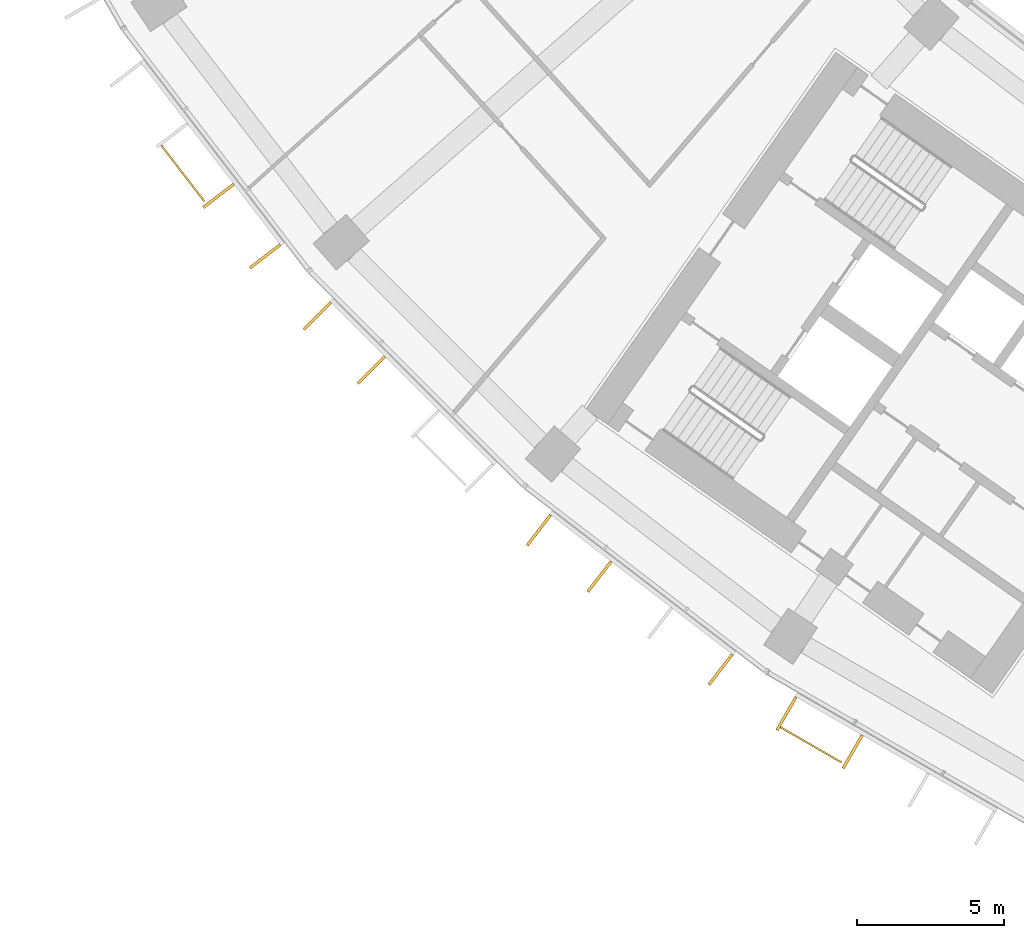
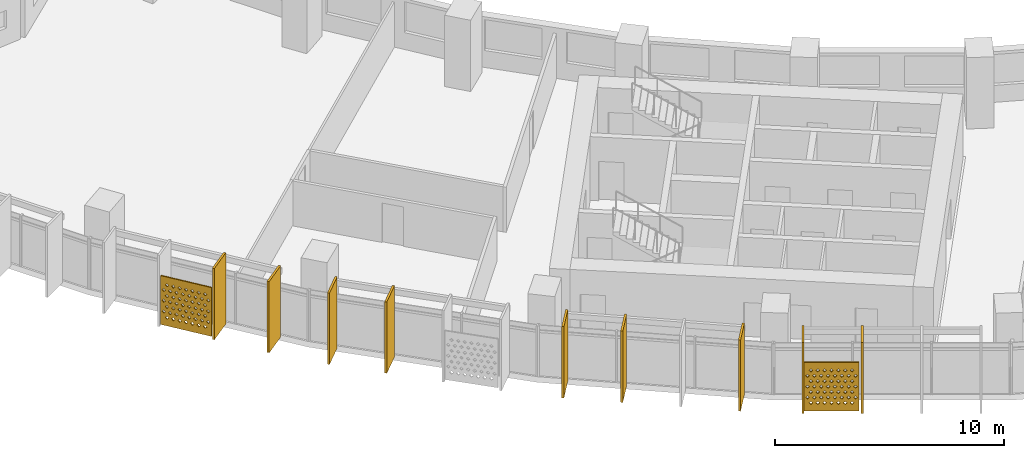
# One storey, part 22 of 28: 11 shading devices.
"""IFC4 building model written with IfcOpenShell, lengths in metres."""

from ifc_helpers import new_model, si_unit, direction, frame, origin, origin_2d, place, context, subcontext, project, spatial, polyline, rectangle, outline, extrude, material, material_profile, profile_set, type_object, element, save


model = new_model("IFC4")

# Units and contexts
model_context = context("Model", 3, precision=1e-05, world=origin(), true_north=direction((0.0, 1.0)))
body_context = subcontext(model_context, "Body", "Model", "MODEL_VIEW")
ifc_project = project(units=[si_unit("LENGTHUNIT", "METRE"), si_unit("AREAUNIT", "SQUARE_METRE"), si_unit("VOLUMEUNIT", "CUBIC_METRE"), si_unit("PLANEANGLEUNIT", "RADIAN"), si_unit("MASSUNIT", "GRAM", prefix="KILO")], contexts=[model_context])

# Site, building, storey
site_placement = place(None, origin())
site = spatial("IfcSite", under=ifc_project, at=site_placement, CompositionType="ELEMENT")
building_placement = place(site_placement, origin())
building = spatial("IfcBuilding", under=site, at=building_placement, Name="Qamariyya Broadcast Tower", CompositionType="ELEMENT")
storey_placement = place(building_placement, frame((0.0, 0.0, 140.5)))
storey = spatial("IfcBuildingStorey", under=building, at=storey_placement, Name="L32", CompositionType="ELEMENT", Elevation=140.5)

# Shading devices
ifc_material_1 = material(Name="Perforated glazed terracotta", Category="masonry")
ifc_material_profile_1 = material_profile(ifc_material_1, outline(polyline([(-1.199951171875, -1.300048828125), (1.199951171875, -1.300048828125), (1.199951171875, 1.300048828125), (-1.199951171875, 1.300048828125), (-1.199951171875, -1.300048828125)]), holes=[polyline([(-0.81494140625, -0.86669921875), (-0.89990234375, -0.78173828125), (-0.985107421875, -0.86669921875), (-0.89990234375, -0.95166015625), (-0.81494140625, -0.86669921875)]), polyline([(-0.514892578125, -0.86669921875), (-0.60009765625, -0.78173828125), (-0.68505859375, -0.86669921875), (-0.60009765625, -0.95166015625), (-0.514892578125, -0.86669921875)]), polyline([(-0.215087890625, -0.86669921875), (-0.300048828125, -0.78173828125), (-0.385009765625, -0.86669921875), (-0.300048828125, -0.95166015625), (-0.215087890625, -0.86669921875)]), polyline([(0.0849609375, -0.86669921875), (0.0, -0.78173828125), (-0.0849609375, -0.86669921875), (0.0, -0.95166015625), (0.0849609375, -0.86669921875)]), polyline([(0.385009765625, -0.86669921875), (0.300048828125, -0.78173828125), (0.215087890625, -0.86669921875), (0.300048828125, -0.95166015625), (0.385009765625, -0.86669921875)]), polyline([(0.68505859375, -0.86669921875), (0.60009765625, -0.78173828125), (0.514892578125, -0.86669921875), (0.60009765625, -0.95166015625), (0.68505859375, -0.86669921875)]), polyline([(0.985107421875, -0.86669921875), (0.89990234375, -0.78173828125), (0.81494140625, -0.86669921875), (0.89990234375, -0.95166015625), (0.985107421875, -0.86669921875)]), polyline([(-0.965087890625, -0.577880859375), (-1.050048828125, -0.49267578125), (-1.135009765625, -0.577880859375), (-1.050048828125, -0.662841796875), (-0.965087890625, -0.577880859375)]), polyline([(-0.6650390625, -0.577880859375), (-0.75, -0.49267578125), (-0.8349609375, -0.577880859375), (-0.75, -0.662841796875), (-0.6650390625, -0.577880859375)]), polyline([(-0.364990234375, -0.577880859375), (-0.449951171875, -0.49267578125), (-0.534912109375, -0.577880859375), (-0.449951171875, -0.662841796875), (-0.364990234375, -0.577880859375)]), polyline([(-0.06494140625, -0.577880859375), (-0.14990234375, -0.49267578125), (-0.235107421875, -0.577880859375), (-0.14990234375, -0.662841796875), (-0.06494140625, -0.577880859375)]), polyline([(0.235107421875, -0.577880859375), (0.14990234375, -0.49267578125), (0.06494140625, -0.577880859375), (0.14990234375, -0.662841796875), (0.235107421875, -0.577880859375)]), polyline([(0.534912109375, -0.577880859375), (0.449951171875, -0.49267578125), (0.364990234375, -0.577880859375), (0.449951171875, -0.662841796875), (0.534912109375, -0.577880859375)]), polyline([(0.8349609375, -0.577880859375), (0.75, -0.49267578125), (0.6650390625, -0.577880859375), (0.75, -0.662841796875), (0.8349609375, -0.577880859375)]), polyline([(1.135009765625, -0.577880859375), (1.050048828125, -0.49267578125), (0.965087890625, -0.577880859375), (1.050048828125, -0.662841796875), (1.135009765625, -0.577880859375)]), polyline([(-0.81494140625, -0.288818359375), (-0.89990234375, -0.203857421875), (-0.985107421875, -0.288818359375), (-0.89990234375, -0.373779296875), (-0.81494140625, -0.288818359375)]), polyline([(-0.514892578125, -0.288818359375), (-0.60009765625, -0.203857421875), (-0.68505859375, -0.288818359375), (-0.60009765625, -0.373779296875), (-0.514892578125, -0.288818359375)]), polyline([(-0.215087890625, -0.288818359375), (-0.300048828125, -0.203857421875), (-0.385009765625, -0.288818359375), (-0.300048828125, -0.373779296875), (-0.215087890625, -0.288818359375)]), polyline([(0.0849609375, -0.288818359375), (0.0, -0.203857421875), (-0.0849609375, -0.288818359375), (0.0, -0.373779296875), (0.0849609375, -0.288818359375)]), polyline([(0.385009765625, -0.288818359375), (0.300048828125, -0.203857421875), (0.215087890625, -0.288818359375), (0.300048828125, -0.373779296875), (0.385009765625, -0.288818359375)]), polyline([(0.68505859375, -0.288818359375), (0.60009765625, -0.203857421875), (0.514892578125, -0.288818359375), (0.60009765625, -0.373779296875), (0.68505859375, -0.288818359375)]), polyline([(0.985107421875, -0.288818359375), (0.89990234375, -0.203857421875), (0.81494140625, -0.288818359375), (0.89990234375, -0.373779296875), (0.985107421875, -0.288818359375)]), polyline([(-0.965087890625, 0.0), (-1.050048828125, 0.0849609375), (-1.135009765625, 0.0), (-1.050048828125, -0.0849609375), (-0.965087890625, 0.0)]), polyline([(-0.6650390625, 0.0), (-0.75, 0.0849609375), (-0.8349609375, 0.0), (-0.75, -0.0849609375), (-0.6650390625, 0.0)]), polyline([(-0.364990234375, 0.0), (-0.449951171875, 0.0849609375), (-0.534912109375, 0.0), (-0.449951171875, -0.0849609375), (-0.364990234375, 0.0)]), polyline([(-0.06494140625, 0.0), (-0.14990234375, 0.0849609375), (-0.235107421875, 0.0), (-0.14990234375, -0.0849609375), (-0.06494140625, 0.0)]), polyline([(0.235107421875, 0.0), (0.14990234375, 0.0849609375), (0.06494140625, 0.0), (0.14990234375, -0.0849609375), (0.235107421875, 0.0)]), polyline([(0.534912109375, 0.0), (0.449951171875, 0.0849609375), (0.364990234375, 0.0), (0.449951171875, -0.0849609375), (0.534912109375, 0.0)]), polyline([(0.8349609375, 0.0), (0.75, 0.0849609375), (0.6650390625, 0.0), (0.75, -0.0849609375), (0.8349609375, 0.0)]), polyline([(1.135009765625, 0.0), (1.050048828125, 0.0849609375), (0.965087890625, 0.0), (1.050048828125, -0.0849609375), (1.135009765625, 0.0)]), polyline([(-0.81494140625, 0.288818359375), (-0.89990234375, 0.373779296875), (-0.985107421875, 0.288818359375), (-0.89990234375, 0.203857421875), (-0.81494140625, 0.288818359375)]), polyline([(-0.514892578125, 0.288818359375), (-0.60009765625, 0.373779296875), (-0.68505859375, 0.288818359375), (-0.60009765625, 0.203857421875), (-0.514892578125, 0.288818359375)]), polyline([(-0.215087890625, 0.288818359375), (-0.300048828125, 0.373779296875), (-0.385009765625, 0.288818359375), (-0.300048828125, 0.203857421875), (-0.215087890625, 0.288818359375)]), polyline([(0.0849609375, 0.288818359375), (0.0, 0.373779296875), (-0.0849609375, 0.288818359375), (0.0, 0.203857421875), (0.0849609375, 0.288818359375)]), polyline([(0.385009765625, 0.288818359375), (0.300048828125, 0.373779296875), (0.215087890625, 0.288818359375), (0.300048828125, 0.203857421875), (0.385009765625, 0.288818359375)]), polyline([(0.68505859375, 0.288818359375), (0.60009765625, 0.373779296875), (0.514892578125, 0.288818359375), (0.60009765625, 0.203857421875), (0.68505859375, 0.288818359375)]), polyline([(0.985107421875, 0.288818359375), (0.89990234375, 0.373779296875), (0.81494140625, 0.288818359375), (0.89990234375, 0.203857421875), (0.985107421875, 0.288818359375)]), polyline([(-0.965087890625, 0.577880859375), (-1.050048828125, 0.662841796875), (-1.135009765625, 0.577880859375), (-1.050048828125, 0.49267578125), (-0.965087890625, 0.577880859375)]), polyline([(-0.6650390625, 0.577880859375), (-0.75, 0.662841796875), (-0.8349609375, 0.577880859375), (-0.75, 0.49267578125), (-0.6650390625, 0.577880859375)]), polyline([(-0.364990234375, 0.577880859375), (-0.449951171875, 0.662841796875), (-0.534912109375, 0.577880859375), (-0.449951171875, 0.49267578125), (-0.364990234375, 0.577880859375)]), polyline([(-0.06494140625, 0.577880859375), (-0.14990234375, 0.662841796875), (-0.235107421875, 0.577880859375), (-0.14990234375, 0.49267578125), (-0.06494140625, 0.577880859375)]), polyline([(0.235107421875, 0.577880859375), (0.14990234375, 0.662841796875), (0.06494140625, 0.577880859375), (0.14990234375, 0.49267578125), (0.235107421875, 0.577880859375)]), polyline([(0.534912109375, 0.577880859375), (0.449951171875, 0.662841796875), (0.364990234375, 0.577880859375), (0.449951171875, 0.49267578125), (0.534912109375, 0.577880859375)]), polyline([(0.8349609375, 0.577880859375), (0.75, 0.662841796875), (0.6650390625, 0.577880859375), (0.75, 0.49267578125), (0.8349609375, 0.577880859375)]), polyline([(1.135009765625, 0.577880859375), (1.050048828125, 0.662841796875), (0.965087890625, 0.577880859375), (1.050048828125, 0.49267578125), (1.135009765625, 0.577880859375)]), polyline([(-0.81494140625, 0.86669921875), (-0.89990234375, 0.95166015625), (-0.985107421875, 0.86669921875), (-0.89990234375, 0.78173828125), (-0.81494140625, 0.86669921875)]), polyline([(-0.514892578125, 0.86669921875), (-0.60009765625, 0.95166015625), (-0.68505859375, 0.86669921875), (-0.60009765625, 0.78173828125), (-0.514892578125, 0.86669921875)]), polyline([(-0.215087890625, 0.86669921875), (-0.300048828125, 0.95166015625), (-0.385009765625, 0.86669921875), (-0.300048828125, 0.78173828125), (-0.215087890625, 0.86669921875)]), polyline([(0.0849609375, 0.86669921875), (0.0, 0.95166015625), (-0.0849609375, 0.86669921875), (0.0, 0.78173828125), (0.0849609375, 0.86669921875)]), polyline([(0.385009765625, 0.86669921875), (0.300048828125, 0.95166015625), (0.215087890625, 0.86669921875), (0.300048828125, 0.78173828125), (0.385009765625, 0.86669921875)]), polyline([(0.68505859375, 0.86669921875), (0.60009765625, 0.95166015625), (0.514892578125, 0.86669921875), (0.60009765625, 0.78173828125), (0.68505859375, 0.86669921875)]), polyline([(0.985107421875, 0.86669921875), (0.89990234375, 0.95166015625), (0.81494140625, 0.86669921875), (0.89990234375, 0.78173828125), (0.985107421875, 0.86669921875)])]))
ifc_profile_set_1 = profile_set([ifc_material_profile_1], Name="Perforated glazed terracotta")
shading_device_type_1 = type_object("IfcShadingDeviceType", Name="Perforated terracotta screen 2400 x 2600", PredefinedType="USERDEFINED", material=ifc_profile_set_1)
shading_device_1_placement = place(storey_placement, frame((-63.814208984375, -48.907470703125, 1.35009765625), z_axis=(-0.792623989105, -0.60971076085, 0.0), x_axis=(0.60971076085, -0.792623989105, 0.0)))
element("IfcShadingDevice", 1, at=shading_device_1_placement, inside=storey, type_object=shading_device_type_1, Name="e-scr-L32-02-1", ObjectType="SCREEN", PredefinedType="USERDEFINED", context=body_context, shape_type="SweptSolid", body=[
    extrude(outline(polyline([(-1.199951171875, -1.300048828125), (1.199951171875, -1.300048828125), (1.199951171875, 1.300048828125), (-1.199951171875, 1.300048828125), (-1.199951171875, -1.300048828125)]), holes=[polyline([(-0.81494140625, -0.86669921875), (-0.89990234375, -0.78173828125), (-0.985107421875, -0.86669921875), (-0.89990234375, -0.95166015625), (-0.81494140625, -0.86669921875)]), polyline([(-0.514892578125, -0.86669921875), (-0.60009765625, -0.78173828125), (-0.68505859375, -0.86669921875), (-0.60009765625, -0.95166015625), (-0.514892578125, -0.86669921875)]), polyline([(-0.215087890625, -0.86669921875), (-0.300048828125, -0.78173828125), (-0.385009765625, -0.86669921875), (-0.300048828125, -0.95166015625), (-0.215087890625, -0.86669921875)]), polyline([(0.0849609375, -0.86669921875), (0.0, -0.78173828125), (-0.0849609375, -0.86669921875), (0.0, -0.95166015625), (0.0849609375, -0.86669921875)]), polyline([(0.385009765625, -0.86669921875), (0.300048828125, -0.78173828125), (0.215087890625, -0.86669921875), (0.300048828125, -0.95166015625), (0.385009765625, -0.86669921875)]), polyline([(0.68505859375, -0.86669921875), (0.60009765625, -0.78173828125), (0.514892578125, -0.86669921875), (0.60009765625, -0.95166015625), (0.68505859375, -0.86669921875)]), polyline([(0.985107421875, -0.86669921875), (0.89990234375, -0.78173828125), (0.81494140625, -0.86669921875), (0.89990234375, -0.95166015625), (0.985107421875, -0.86669921875)]), polyline([(-0.965087890625, -0.577880859375), (-1.050048828125, -0.49267578125), (-1.135009765625, -0.577880859375), (-1.050048828125, -0.662841796875), (-0.965087890625, -0.577880859375)]), polyline([(-0.6650390625, -0.577880859375), (-0.75, -0.49267578125), (-0.8349609375, -0.577880859375), (-0.75, -0.662841796875), (-0.6650390625, -0.577880859375)]), polyline([(-0.364990234375, -0.577880859375), (-0.449951171875, -0.49267578125), (-0.534912109375, -0.577880859375), (-0.449951171875, -0.662841796875), (-0.364990234375, -0.577880859375)]), polyline([(-0.06494140625, -0.577880859375), (-0.14990234375, -0.49267578125), (-0.235107421875, -0.577880859375), (-0.14990234375, -0.662841796875), (-0.06494140625, -0.577880859375)]), polyline([(0.235107421875, -0.577880859375), (0.14990234375, -0.49267578125), (0.06494140625, -0.577880859375), (0.14990234375, -0.662841796875), (0.235107421875, -0.577880859375)]), polyline([(0.534912109375, -0.577880859375), (0.449951171875, -0.49267578125), (0.364990234375, -0.577880859375), (0.449951171875, -0.662841796875), (0.534912109375, -0.577880859375)]), polyline([(0.8349609375, -0.577880859375), (0.75, -0.49267578125), (0.6650390625, -0.577880859375), (0.75, -0.662841796875), (0.8349609375, -0.577880859375)]), polyline([(1.135009765625, -0.577880859375), (1.050048828125, -0.49267578125), (0.965087890625, -0.577880859375), (1.050048828125, -0.662841796875), (1.135009765625, -0.577880859375)]), polyline([(-0.81494140625, -0.288818359375), (-0.89990234375, -0.203857421875), (-0.985107421875, -0.288818359375), (-0.89990234375, -0.373779296875), (-0.81494140625, -0.288818359375)]), polyline([(-0.514892578125, -0.288818359375), (-0.60009765625, -0.203857421875), (-0.68505859375, -0.288818359375), (-0.60009765625, -0.373779296875), (-0.514892578125, -0.288818359375)]), polyline([(-0.215087890625, -0.288818359375), (-0.300048828125, -0.203857421875), (-0.385009765625, -0.288818359375), (-0.300048828125, -0.373779296875), (-0.215087890625, -0.288818359375)]), polyline([(0.0849609375, -0.288818359375), (0.0, -0.203857421875), (-0.0849609375, -0.288818359375), (0.0, -0.373779296875), (0.0849609375, -0.288818359375)]), polyline([(0.385009765625, -0.288818359375), (0.300048828125, -0.203857421875), (0.215087890625, -0.288818359375), (0.300048828125, -0.373779296875), (0.385009765625, -0.288818359375)]), polyline([(0.68505859375, -0.288818359375), (0.60009765625, -0.203857421875), (0.514892578125, -0.288818359375), (0.60009765625, -0.373779296875), (0.68505859375, -0.288818359375)]), polyline([(0.985107421875, -0.288818359375), (0.89990234375, -0.203857421875), (0.81494140625, -0.288818359375), (0.89990234375, -0.373779296875), (0.985107421875, -0.288818359375)]), polyline([(-0.965087890625, 0.0), (-1.050048828125, 0.0849609375), (-1.135009765625, 0.0), (-1.050048828125, -0.0849609375), (-0.965087890625, 0.0)]), polyline([(-0.6650390625, 0.0), (-0.75, 0.0849609375), (-0.8349609375, 0.0), (-0.75, -0.0849609375), (-0.6650390625, 0.0)]), polyline([(-0.364990234375, 0.0), (-0.449951171875, 0.0849609375), (-0.534912109375, 0.0), (-0.449951171875, -0.0849609375), (-0.364990234375, 0.0)]), polyline([(-0.06494140625, 0.0), (-0.14990234375, 0.0849609375), (-0.235107421875, 0.0), (-0.14990234375, -0.0849609375), (-0.06494140625, 0.0)]), polyline([(0.235107421875, 0.0), (0.14990234375, 0.0849609375), (0.06494140625, 0.0), (0.14990234375, -0.0849609375), (0.235107421875, 0.0)]), polyline([(0.534912109375, 0.0), (0.449951171875, 0.0849609375), (0.364990234375, 0.0), (0.449951171875, -0.0849609375), (0.534912109375, 0.0)]), polyline([(0.8349609375, 0.0), (0.75, 0.0849609375), (0.6650390625, 0.0), (0.75, -0.0849609375), (0.8349609375, 0.0)]), polyline([(1.135009765625, 0.0), (1.050048828125, 0.0849609375), (0.965087890625, 0.0), (1.050048828125, -0.0849609375), (1.135009765625, 0.0)]), polyline([(-0.81494140625, 0.288818359375), (-0.89990234375, 0.373779296875), (-0.985107421875, 0.288818359375), (-0.89990234375, 0.203857421875), (-0.81494140625, 0.288818359375)]), polyline([(-0.514892578125, 0.288818359375), (-0.60009765625, 0.373779296875), (-0.68505859375, 0.288818359375), (-0.60009765625, 0.203857421875), (-0.514892578125, 0.288818359375)]), polyline([(-0.215087890625, 0.288818359375), (-0.300048828125, 0.373779296875), (-0.385009765625, 0.288818359375), (-0.300048828125, 0.203857421875), (-0.215087890625, 0.288818359375)]), polyline([(0.0849609375, 0.288818359375), (0.0, 0.373779296875), (-0.0849609375, 0.288818359375), (0.0, 0.203857421875), (0.0849609375, 0.288818359375)]), polyline([(0.385009765625, 0.288818359375), (0.300048828125, 0.373779296875), (0.215087890625, 0.288818359375), (0.300048828125, 0.203857421875), (0.385009765625, 0.288818359375)]), polyline([(0.68505859375, 0.288818359375), (0.60009765625, 0.373779296875), (0.514892578125, 0.288818359375), (0.60009765625, 0.203857421875), (0.68505859375, 0.288818359375)]), polyline([(0.985107421875, 0.288818359375), (0.89990234375, 0.373779296875), (0.81494140625, 0.288818359375), (0.89990234375, 0.203857421875), (0.985107421875, 0.288818359375)]), polyline([(-0.965087890625, 0.577880859375), (-1.050048828125, 0.662841796875), (-1.135009765625, 0.577880859375), (-1.050048828125, 0.49267578125), (-0.965087890625, 0.577880859375)]), polyline([(-0.6650390625, 0.577880859375), (-0.75, 0.662841796875), (-0.8349609375, 0.577880859375), (-0.75, 0.49267578125), (-0.6650390625, 0.577880859375)]), polyline([(-0.364990234375, 0.577880859375), (-0.449951171875, 0.662841796875), (-0.534912109375, 0.577880859375), (-0.449951171875, 0.49267578125), (-0.364990234375, 0.577880859375)]), polyline([(-0.06494140625, 0.577880859375), (-0.14990234375, 0.662841796875), (-0.235107421875, 0.577880859375), (-0.14990234375, 0.49267578125), (-0.06494140625, 0.577880859375)]), polyline([(0.235107421875, 0.577880859375), (0.14990234375, 0.662841796875), (0.06494140625, 0.577880859375), (0.14990234375, 0.49267578125), (0.235107421875, 0.577880859375)]), polyline([(0.534912109375, 0.577880859375), (0.449951171875, 0.662841796875), (0.364990234375, 0.577880859375), (0.449951171875, 0.49267578125), (0.534912109375, 0.577880859375)]), polyline([(0.8349609375, 0.577880859375), (0.75, 0.662841796875), (0.6650390625, 0.577880859375), (0.75, 0.49267578125), (0.8349609375, 0.577880859375)]), polyline([(1.135009765625, 0.577880859375), (1.050048828125, 0.662841796875), (0.965087890625, 0.577880859375), (1.050048828125, 0.49267578125), (1.135009765625, 0.577880859375)]), polyline([(-0.81494140625, 0.86669921875), (-0.89990234375, 0.95166015625), (-0.985107421875, 0.86669921875), (-0.89990234375, 0.78173828125), (-0.81494140625, 0.86669921875)]), polyline([(-0.514892578125, 0.86669921875), (-0.60009765625, 0.95166015625), (-0.68505859375, 0.86669921875), (-0.60009765625, 0.78173828125), (-0.514892578125, 0.86669921875)]), polyline([(-0.215087890625, 0.86669921875), (-0.300048828125, 0.95166015625), (-0.385009765625, 0.86669921875), (-0.300048828125, 0.78173828125), (-0.215087890625, 0.86669921875)]), polyline([(0.0849609375, 0.86669921875), (0.0, 0.95166015625), (-0.0849609375, 0.86669921875), (0.0, 0.78173828125), (0.0849609375, 0.86669921875)]), polyline([(0.385009765625, 0.86669921875), (0.300048828125, 0.95166015625), (0.215087890625, 0.86669921875), (0.300048828125, 0.78173828125), (0.385009765625, 0.86669921875)]), polyline([(0.68505859375, 0.86669921875), (0.60009765625, 0.95166015625), (0.514892578125, 0.86669921875), (0.60009765625, 0.78173828125), (0.68505859375, 0.86669921875)]), polyline([(0.985107421875, 0.86669921875), (0.89990234375, 0.95166015625), (0.81494140625, 0.86669921875), (0.89990234375, 0.78173828125), (0.985107421875, 0.86669921875)])]), origin(), (0.0, 0.0, 1.0), 0.06005859375),
])
shading_device_2_placement = place(storey_placement, frame((-42.486328125, -68.30859375, 1.35009765625), z_axis=(-0.500074377092, -0.865982457891, 0.0), x_axis=(0.865982457891, -0.500074377092, 0.0)))
element("IfcShadingDevice", 2, at=shading_device_2_placement, inside=storey, type_object=shading_device_type_1, Name="e-scr-L32-05-0", ObjectType="SCREEN", PredefinedType="USERDEFINED", context=body_context, shape_type="SweptSolid", body=[
    extrude(outline(polyline([(-1.199951171875, -1.300048828125), (1.199951171875, -1.300048828125), (1.199951171875, 1.300048828125), (-1.199951171875, 1.300048828125), (-1.199951171875, -1.300048828125)]), holes=[polyline([(-0.81494140625, -0.86669921875), (-0.89990234375, -0.78173828125), (-0.985107421875, -0.86669921875), (-0.89990234375, -0.95166015625), (-0.81494140625, -0.86669921875)]), polyline([(-0.514892578125, -0.86669921875), (-0.60009765625, -0.78173828125), (-0.68505859375, -0.86669921875), (-0.60009765625, -0.95166015625), (-0.514892578125, -0.86669921875)]), polyline([(-0.215087890625, -0.86669921875), (-0.300048828125, -0.78173828125), (-0.385009765625, -0.86669921875), (-0.300048828125, -0.95166015625), (-0.215087890625, -0.86669921875)]), polyline([(0.0849609375, -0.86669921875), (0.0, -0.78173828125), (-0.0849609375, -0.86669921875), (0.0, -0.95166015625), (0.0849609375, -0.86669921875)]), polyline([(0.385009765625, -0.86669921875), (0.300048828125, -0.78173828125), (0.215087890625, -0.86669921875), (0.300048828125, -0.95166015625), (0.385009765625, -0.86669921875)]), polyline([(0.68505859375, -0.86669921875), (0.60009765625, -0.78173828125), (0.514892578125, -0.86669921875), (0.60009765625, -0.95166015625), (0.68505859375, -0.86669921875)]), polyline([(0.985107421875, -0.86669921875), (0.89990234375, -0.78173828125), (0.81494140625, -0.86669921875), (0.89990234375, -0.95166015625), (0.985107421875, -0.86669921875)]), polyline([(-0.965087890625, -0.577880859375), (-1.050048828125, -0.49267578125), (-1.135009765625, -0.577880859375), (-1.050048828125, -0.662841796875), (-0.965087890625, -0.577880859375)]), polyline([(-0.6650390625, -0.577880859375), (-0.75, -0.49267578125), (-0.8349609375, -0.577880859375), (-0.75, -0.662841796875), (-0.6650390625, -0.577880859375)]), polyline([(-0.364990234375, -0.577880859375), (-0.449951171875, -0.49267578125), (-0.534912109375, -0.577880859375), (-0.449951171875, -0.662841796875), (-0.364990234375, -0.577880859375)]), polyline([(-0.06494140625, -0.577880859375), (-0.14990234375, -0.49267578125), (-0.235107421875, -0.577880859375), (-0.14990234375, -0.662841796875), (-0.06494140625, -0.577880859375)]), polyline([(0.235107421875, -0.577880859375), (0.14990234375, -0.49267578125), (0.06494140625, -0.577880859375), (0.14990234375, -0.662841796875), (0.235107421875, -0.577880859375)]), polyline([(0.534912109375, -0.577880859375), (0.449951171875, -0.49267578125), (0.364990234375, -0.577880859375), (0.449951171875, -0.662841796875), (0.534912109375, -0.577880859375)]), polyline([(0.8349609375, -0.577880859375), (0.75, -0.49267578125), (0.6650390625, -0.577880859375), (0.75, -0.662841796875), (0.8349609375, -0.577880859375)]), polyline([(1.135009765625, -0.577880859375), (1.050048828125, -0.49267578125), (0.965087890625, -0.577880859375), (1.050048828125, -0.662841796875), (1.135009765625, -0.577880859375)]), polyline([(-0.81494140625, -0.288818359375), (-0.89990234375, -0.203857421875), (-0.985107421875, -0.288818359375), (-0.89990234375, -0.373779296875), (-0.81494140625, -0.288818359375)]), polyline([(-0.514892578125, -0.288818359375), (-0.60009765625, -0.203857421875), (-0.68505859375, -0.288818359375), (-0.60009765625, -0.373779296875), (-0.514892578125, -0.288818359375)]), polyline([(-0.215087890625, -0.288818359375), (-0.300048828125, -0.203857421875), (-0.385009765625, -0.288818359375), (-0.300048828125, -0.373779296875), (-0.215087890625, -0.288818359375)]), polyline([(0.0849609375, -0.288818359375), (0.0, -0.203857421875), (-0.0849609375, -0.288818359375), (0.0, -0.373779296875), (0.0849609375, -0.288818359375)]), polyline([(0.385009765625, -0.288818359375), (0.300048828125, -0.203857421875), (0.215087890625, -0.288818359375), (0.300048828125, -0.373779296875), (0.385009765625, -0.288818359375)]), polyline([(0.68505859375, -0.288818359375), (0.60009765625, -0.203857421875), (0.514892578125, -0.288818359375), (0.60009765625, -0.373779296875), (0.68505859375, -0.288818359375)]), polyline([(0.985107421875, -0.288818359375), (0.89990234375, -0.203857421875), (0.81494140625, -0.288818359375), (0.89990234375, -0.373779296875), (0.985107421875, -0.288818359375)]), polyline([(-0.965087890625, 0.0), (-1.050048828125, 0.0849609375), (-1.135009765625, 0.0), (-1.050048828125, -0.0849609375), (-0.965087890625, 0.0)]), polyline([(-0.6650390625, 0.0), (-0.75, 0.0849609375), (-0.8349609375, 0.0), (-0.75, -0.0849609375), (-0.6650390625, 0.0)]), polyline([(-0.364990234375, 0.0), (-0.449951171875, 0.0849609375), (-0.534912109375, 0.0), (-0.449951171875, -0.0849609375), (-0.364990234375, 0.0)]), polyline([(-0.06494140625, 0.0), (-0.14990234375, 0.0849609375), (-0.235107421875, 0.0), (-0.14990234375, -0.0849609375), (-0.06494140625, 0.0)]), polyline([(0.235107421875, 0.0), (0.14990234375, 0.0849609375), (0.06494140625, 0.0), (0.14990234375, -0.0849609375), (0.235107421875, 0.0)]), polyline([(0.534912109375, 0.0), (0.449951171875, 0.0849609375), (0.364990234375, 0.0), (0.449951171875, -0.0849609375), (0.534912109375, 0.0)]), polyline([(0.8349609375, 0.0), (0.75, 0.0849609375), (0.6650390625, 0.0), (0.75, -0.0849609375), (0.8349609375, 0.0)]), polyline([(1.135009765625, 0.0), (1.050048828125, 0.0849609375), (0.965087890625, 0.0), (1.050048828125, -0.0849609375), (1.135009765625, 0.0)]), polyline([(-0.81494140625, 0.288818359375), (-0.89990234375, 0.373779296875), (-0.985107421875, 0.288818359375), (-0.89990234375, 0.203857421875), (-0.81494140625, 0.288818359375)]), polyline([(-0.514892578125, 0.288818359375), (-0.60009765625, 0.373779296875), (-0.68505859375, 0.288818359375), (-0.60009765625, 0.203857421875), (-0.514892578125, 0.288818359375)]), polyline([(-0.215087890625, 0.288818359375), (-0.300048828125, 0.373779296875), (-0.385009765625, 0.288818359375), (-0.300048828125, 0.203857421875), (-0.215087890625, 0.288818359375)]), polyline([(0.0849609375, 0.288818359375), (0.0, 0.373779296875), (-0.0849609375, 0.288818359375), (0.0, 0.203857421875), (0.0849609375, 0.288818359375)]), polyline([(0.385009765625, 0.288818359375), (0.300048828125, 0.373779296875), (0.215087890625, 0.288818359375), (0.300048828125, 0.203857421875), (0.385009765625, 0.288818359375)]), polyline([(0.68505859375, 0.288818359375), (0.60009765625, 0.373779296875), (0.514892578125, 0.288818359375), (0.60009765625, 0.203857421875), (0.68505859375, 0.288818359375)]), polyline([(0.985107421875, 0.288818359375), (0.89990234375, 0.373779296875), (0.81494140625, 0.288818359375), (0.89990234375, 0.203857421875), (0.985107421875, 0.288818359375)]), polyline([(-0.965087890625, 0.577880859375), (-1.050048828125, 0.662841796875), (-1.135009765625, 0.577880859375), (-1.050048828125, 0.49267578125), (-0.965087890625, 0.577880859375)]), polyline([(-0.6650390625, 0.577880859375), (-0.75, 0.662841796875), (-0.8349609375, 0.577880859375), (-0.75, 0.49267578125), (-0.6650390625, 0.577880859375)]), polyline([(-0.364990234375, 0.577880859375), (-0.449951171875, 0.662841796875), (-0.534912109375, 0.577880859375), (-0.449951171875, 0.49267578125), (-0.364990234375, 0.577880859375)]), polyline([(-0.06494140625, 0.577880859375), (-0.14990234375, 0.662841796875), (-0.235107421875, 0.577880859375), (-0.14990234375, 0.49267578125), (-0.06494140625, 0.577880859375)]), polyline([(0.235107421875, 0.577880859375), (0.14990234375, 0.662841796875), (0.06494140625, 0.577880859375), (0.14990234375, 0.49267578125), (0.235107421875, 0.577880859375)]), polyline([(0.534912109375, 0.577880859375), (0.449951171875, 0.662841796875), (0.364990234375, 0.577880859375), (0.449951171875, 0.49267578125), (0.534912109375, 0.577880859375)]), polyline([(0.8349609375, 0.577880859375), (0.75, 0.662841796875), (0.6650390625, 0.577880859375), (0.75, 0.49267578125), (0.8349609375, 0.577880859375)]), polyline([(1.135009765625, 0.577880859375), (1.050048828125, 0.662841796875), (0.965087890625, 0.577880859375), (1.050048828125, 0.49267578125), (1.135009765625, 0.577880859375)]), polyline([(-0.81494140625, 0.86669921875), (-0.89990234375, 0.95166015625), (-0.985107421875, 0.86669921875), (-0.89990234375, 0.78173828125), (-0.81494140625, 0.86669921875)]), polyline([(-0.514892578125, 0.86669921875), (-0.60009765625, 0.95166015625), (-0.68505859375, 0.86669921875), (-0.60009765625, 0.78173828125), (-0.514892578125, 0.86669921875)]), polyline([(-0.215087890625, 0.86669921875), (-0.300048828125, 0.95166015625), (-0.385009765625, 0.86669921875), (-0.300048828125, 0.78173828125), (-0.215087890625, 0.86669921875)]), polyline([(0.0849609375, 0.86669921875), (0.0, 0.95166015625), (-0.0849609375, 0.86669921875), (0.0, 0.78173828125), (0.0849609375, 0.86669921875)]), polyline([(0.385009765625, 0.86669921875), (0.300048828125, 0.95166015625), (0.215087890625, 0.86669921875), (0.300048828125, 0.78173828125), (0.385009765625, 0.86669921875)]), polyline([(0.68505859375, 0.86669921875), (0.60009765625, 0.95166015625), (0.514892578125, 0.86669921875), (0.60009765625, 0.78173828125), (0.68505859375, 0.86669921875)]), polyline([(0.985107421875, 0.86669921875), (0.89990234375, 0.95166015625), (0.81494140625, 0.86669921875), (0.89990234375, 0.78173828125), (0.985107421875, 0.86669921875)])]), origin(), (0.0, 0.0, 1.0), 0.06005859375),
])
ifc_material_2 = material(Name="Glazed terracotta", Category="masonry")
ifc_material_profile_2 = material_profile(ifc_material_2, rectangle(XDim=1.300048828125, YDim=0.10009765625, at=origin_2d()))
ifc_profile_set_2 = profile_set([ifc_material_profile_2], Name="Glazed terracotta")
shading_device_type_2 = type_object("IfcShadingDeviceType", Name="Terracotta fin 100 x 1300", PredefinedType="USERDEFINED", material=ifc_profile_set_2)
for number, where, z_axis, x_axis, name in (
    (3, (-62.62353515625, -49.68701171875, 0.0), (0.0, 0.0, 1.0), (-0.793353340291, -0.608761429009, 0.0), "e-fin-L32-02-2"),
    (4, (-61.044921875, -51.744384765625, 0.0), (0.0, 0.0, 1.0), (-0.793353340291, -0.608761429009, 0.0), "e-fin-L32-02-3"),
    (5, (-59.269775390625, -53.7685546875, 0.0), (0.0, 0.0, 1.0), (-0.707106781187, -0.707106781187, 0.0), "e-fin-L32-03-0"),
    (6, (-57.43603515625, -55.602294921875, 0.0), (0.0, 0.0, 1.0), (-0.707106781187, -0.707106781187, 0.0), "e-fin-L32-03-1"),
    (7, (-51.744384765625, -61.044921875, 0.0), (0.0, 0.0, 1.0), (-0.608761429009, -0.793353340291, 0.0), "e-fin-L32-04-0"),
    (8, (-49.68701171875, -62.62353515625, 0.0), (0.0, 0.0, 1.0), (-0.608761429009, -0.793353340291, 0.0), "e-fin-L32-04-1"),
    (9, (-45.572509765625, -65.781005859375, 0.0), (0.0, 0.0, 1.0), (-0.608761429009, -0.793353340291, 0.0), "e-fin-L32-04-3"),
    (10, (-43.333740234375, -67.276611328125, 0.0), (0.0, 0.0, 1.0), (-0.5, -0.866025403784, 0.0), "e-fin-L32-05-0"),
    (11, (-41.087890625, -68.5732421875, 0.0), (0.0, 0.0, 1.0), (-0.5, -0.866025403784, 0.0), "e-fin-L32-05-1"),
):
    element("IfcShadingDevice", number, at=place(storey_placement, frame(where, z_axis=z_axis, x_axis=x_axis)), inside=storey, type_object=shading_device_type_2, Name=name, ObjectType="FIN", PredefinedType="USERDEFINED", context=body_context, shape_type="SweptSolid", body=[
        extrude(rectangle(XDim=1.300048828125, YDim=0.10009765625, at=origin_2d()), origin(), (0.0, 0.0, 1.0), 3.800048828125),
    ])

save(model, "model.ifc")
